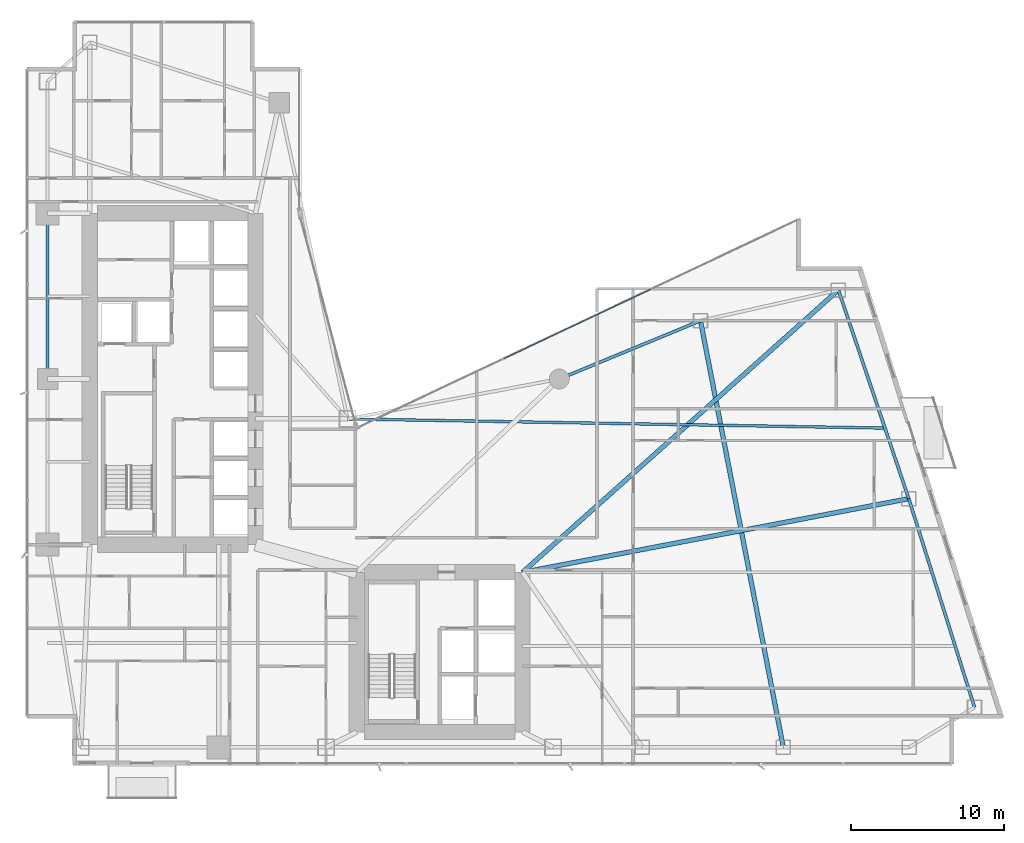
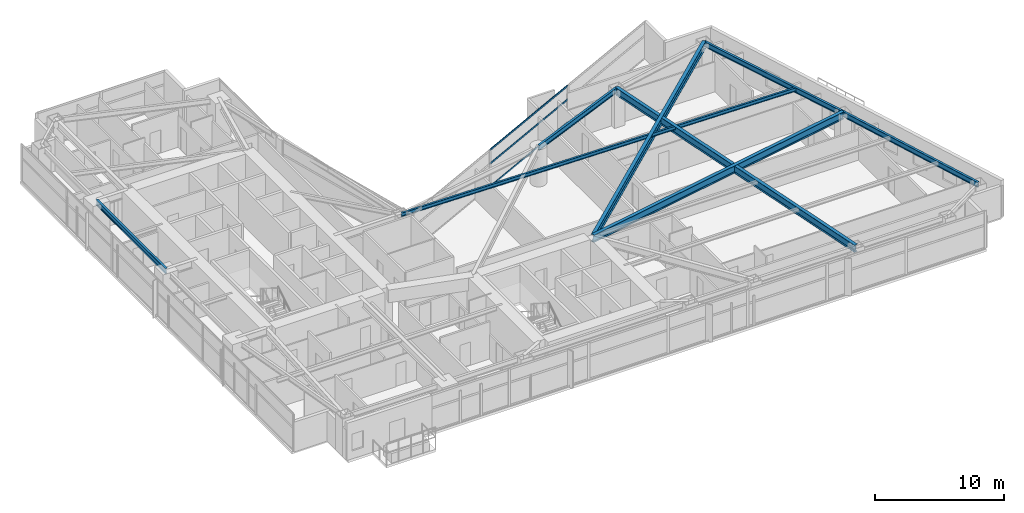
# One storey, part 14 of 28: 8 beams, 3 members, 1 element without a shape of its own.
"""IFC4 building model written with IfcOpenShell, lengths in metres."""

from ifc_helpers import new_model, si_unit, direction, frame, origin, origin_2d, place, context, subcontext, project, spatial, hollow_rectangle, i_section, extrude, material, layer, layer_set, material_profile, profile_set, type_object, element, aggregate, save


model = new_model("IFC4")

# Units and contexts
model_context = context("Model", 3, precision=1e-05, world=origin(), true_north=direction((0.0, 1.0)))
body_context = subcontext(model_context, "Body", "Model", "MODEL_VIEW")
ifc_project = project(units=[si_unit("LENGTHUNIT", "METRE"), si_unit("AREAUNIT", "SQUARE_METRE"), si_unit("VOLUMEUNIT", "CUBIC_METRE"), si_unit("PLANEANGLEUNIT", "RADIAN"), si_unit("MASSUNIT", "GRAM", prefix="KILO")], contexts=[model_context])

# Site, building, storey
site_placement = place(None, origin())
site = spatial("IfcSite", under=ifc_project, at=site_placement, CompositionType="ELEMENT")
building_placement = place(site_placement, origin())
building = spatial("IfcBuilding", under=site, at=building_placement, Name="Calvorn Quay Hotel", CompositionType="ELEMENT")
storey_placement = place(building_placement, frame((0.0, 0.0, 42.199951171875)))
storey = spatial("IfcBuildingStorey", under=building, at=storey_placement, Name="L09", CompositionType="ELEMENT", Elevation=42.199951171875)

# Beams
ifc_material_1 = material(Name="Steel Q390GJC", Category="steel")
ifc_material_profile_1 = material_profile(ifc_material_1, i_section(OverallWidth=0.300048828125, OverallDepth=0.699951171875, WebThickness=0.012939453125, FlangeThickness=0.02392578125, FilletRadius=0.02392578125, at=origin_2d()), Name="HN700x300x13x24")
ifc_profile_set_1 = profile_set([ifc_material_profile_1], Name="Steel Q390GJC")
beam_type_1 = type_object("IfcBeamType", Name="BM-GIRD-MAIN", PredefinedType="BEAM", material=ifc_profile_set_1)
beam_1_placement = place(storey_placement, frame((32.39990234375, 15.0, 3.170166015625), z_axis=(0.982305450614, 0.18728588226, 0.0), x_axis=(-0.18728588226, 0.982305450614, 0.0)))
element("IfcBeam", 1, at=beam_1_placement, inside=storey, type_object=beam_type_1, Name="Beam BG-L09-E2", PredefinedType="BEAM", context=body_context, shape_type="SweptSolid", body=[
    extrude(i_section(OverallWidth=0.300048828125, OverallDepth=0.699951171875, WebThickness=0.012939453125, FlangeThickness=0.02392578125, FilletRadius=0.02392578125, at=origin_2d()), origin(), (0.0, 0.0, 1.0), 25.629638671875),
])
beam_2_placement = place(storey_placement, frame((32.39990234375, 15.0, 3.170166015625), z_axis=(0.745667316004, 0.666318432766, 0.0), x_axis=(-0.666318432766, 0.745667316004, 0.0)))
element("IfcBeam", 2, at=beam_2_placement, inside=storey, type_object=beam_type_1, Name="Beam BG-L09-E3", PredefinedType="BEAM", context=body_context, shape_type="SweptSolid", body=[
    extrude(i_section(OverallWidth=0.300048828125, OverallDepth=0.699951171875, WebThickness=0.012939453125, FlangeThickness=0.02392578125, FilletRadius=0.02392578125, at=origin_2d()), origin(), (0.0, 0.0, 1.0), 27.6142578125),
])
beam_3_placement = place(storey_placement, frame((49.39990234375, 3.60009765625, 3.170166015625), z_axis=(-0.190678596862, 0.981652521363, 0.0), x_axis=(-0.981652521363, -0.190678596862, 0.0)))
element("IfcBeam", 3, at=beam_3_placement, inside=storey, type_object=beam_type_1, Name="Beam BG-L09-E5", PredefinedType="BEAM", context=body_context, shape_type="SweptSolid", body=[
    extrude(i_section(OverallWidth=0.300048828125, OverallDepth=0.699951171875, WebThickness=0.012939453125, FlangeThickness=0.02392578125, FilletRadius=0.02392578125, at=origin_2d()), origin(), (0.0, 0.0, 1.0), 28.3193359375),
])
ifc_material_2 = material(Name="Steel Q355B", Category="steel")
ifc_material_profile_2 = material_profile(ifc_material_2, i_section(OverallWidth=0.175048828125, OverallDepth=0.35009765625, WebThickness=0.007080078125, FlangeThickness=0.010986328125, FilletRadius=0.013916015625, at=origin_2d()), Name="HN350x175x7x11")
ifc_profile_set_2 = profile_set([ifc_material_profile_2], Name="Steel Q355B")
beam_type_2 = type_object("IfcBeamType", Name="BM-JOIST-SEC", PredefinedType="JOIST", material=ifc_profile_set_2)
beam_4_placement = place(storey_placement, frame((21.0, 25.0, 3.344970703125), z_axis=(0.999854105858, -0.017081188436, 0.0), x_axis=(0.017081188436, 0.999854105858, 0.0)))
element("IfcBeam", 4, at=beam_4_placement, inside=storey, type_object=beam_type_2, Name="Beam BJ-L09-E3", PredefinedType="JOIST", context=body_context, shape_type="SweptSolid", body=[
    extrude(i_section(OverallWidth=0.175048828125, OverallDepth=0.35009765625, WebThickness=0.007080078125, FlangeThickness=0.010986328125, FilletRadius=0.013916015625, at=origin_2d()), origin(), (0.0, 0.0, 1.0), 35.132080078125),
])
ifc_material_3 = material(Name="Steel Q355B", Category="steel")
ifc_material_profile_3 = material_profile(ifc_material_3, i_section(OverallWidth=0.199951171875, OverallDepth=0.5, WebThickness=0.010009765625, FlangeThickness=0.01611328125, FilletRadius=0.01611328125, at=origin_2d()), Name="HN500x200x10x16")
ifc_profile_set_3 = profile_set([ifc_material_profile_3], Name="Steel Q355B")
beam_type_3 = type_object("IfcBeamType", Name="BM-SPANDREL-Z1", PredefinedType="SPANDREL", material=ifc_profile_set_3)
beam_5_placement = place(storey_placement, frame((1.449951171875, 27.60009765625, 3.27001953125), z_axis=(0.0, 1.0, 0.0), x_axis=(-1.0, 0.0, 0.0)))
element("IfcBeam", 5, at=beam_5_placement, inside=storey, type_object=beam_type_3, Name="Beam BSP-L09-W3", PredefinedType="SPANDREL", context=body_context, shape_type="SweptSolid", body=[
    extrude(i_section(OverallWidth=0.199951171875, OverallDepth=0.5, WebThickness=0.010009765625, FlangeThickness=0.01611328125, FilletRadius=0.01611328125, at=origin_2d()), origin(), (0.0, 0.0, 1.0), 10.7998046875),
])
beam_6_placement = place(storey_placement, frame((61.861083984375, 6.199951171875, 3.27001953125), z_axis=(-0.300518378216, 0.953776024208, 0.0), x_axis=(-0.953776024208, -0.300518378216, 0.0)))
element("IfcBeam", 6, at=beam_6_placement, inside=storey, type_object=beam_type_3, Name="Beam BSP-L09-E1", PredefinedType="SPANDREL", context=body_context, shape_type="SweptSolid", body=[
    extrude(i_section(OverallWidth=0.199951171875, OverallDepth=0.5, WebThickness=0.010009765625, FlangeThickness=0.01611328125, FilletRadius=0.01611328125, at=origin_2d()), origin(), (0.0, 0.0, 1.0), 14.25927734375),
])
beam_7_placement = place(storey_placement, frame((57.575927734375, 19.800048828125, 3.27001953125), z_axis=(-0.319466515944, 0.947597564998, 0.0), x_axis=(-0.947597564998, -0.319466515944, 0.0)))
element("IfcBeam", 7, at=beam_7_placement, inside=storey, type_object=beam_type_3, Name="Beam BSP-L09-E2", PredefinedType="SPANDREL", context=body_context, shape_type="SweptSolid", body=[
    extrude(i_section(OverallWidth=0.199951171875, OverallDepth=0.5, WebThickness=0.010009765625, FlangeThickness=0.01611328125, FilletRadius=0.01611328125, at=origin_2d()), origin(), (0.0, 0.0, 1.0), 14.35205078125),
])
beam_8_placement = place(storey_placement, frame((44.0, 31.39990234375, 3.27001953125), z_axis=(-0.92426763497, -0.381745123017, 0.0), x_axis=(0.381745123017, -0.92426763497, 0.0)))
element("IfcBeam", 8, at=beam_8_placement, inside=storey, type_object=beam_type_3, Name="Beam BSP-L09-E4", PredefinedType="SPANDREL", context=body_context, shape_type="SweptSolid", body=[
    extrude(i_section(OverallWidth=0.199951171875, OverallDepth=0.5, WebThickness=0.010009765625, FlangeThickness=0.01611328125, FilletRadius=0.01611328125, at=origin_2d()), origin(), (0.0, 0.0, 1.0), 9.953857421875),
])

# Curtain wall, members
ifc_material_4 = material(Name="Pale Anodised Aluminium and Low-E Glass", Category="aluminium")
ifc_layer = layer(ifc_material_4, 0.219970703125)
ifc_layer_set = layer_set([ifc_layer], Name="CW-SYS-Z1")
curtain_wall_type = type_object("IfcCurtainWallType", Name="CW-SYS-Z1", PredefinedType="NOTDEFINED", material=ifc_layer_set)
curtain_wall_placement = place(storey_placement, origin())
curtain_wall = element("IfcCurtainWall", 9, at=curtain_wall_placement, inside=storey, type_object=curtain_wall_type, Name="Inner Court Curtain Wall L09-NE1", PredefinedType="NOTDEFINED")
ifc_material_5 = material(Name="Pale Anodised Aluminium 6063-T6", Category="aluminium")
ifc_material_profile_4 = material_profile(ifc_material_5, hollow_rectangle(XDim=0.06494140625, YDim=0.1650390625, WallThickness=0.00341796875, at=origin_2d()), Name="ALU-T165x65x3.5")
ifc_profile_set_4 = profile_set([ifc_material_profile_4], Name="Pale Anodised Aluminium 6063-T6")
member_type = type_object("IfcMemberType", Name="CW-SYS-Z1-TRN", PredefinedType="USERDEFINED", material=ifc_profile_set_4)
member_1_placement = place(storey_placement, frame((40.77294921875, 33.453857421875, 0.030029296875), z_axis=(-0.904247654564, -0.427008406493, 0.0), x_axis=(0.427008406493, -0.904247654564, 0.0)))
member_1 = element("IfcMember", 10, at=member_1_placement, type_object=member_type, Name="CW-L09-NE1 transom 2.1", ObjectType="TRANSOM", PredefinedType="USERDEFINED", context=body_context, shape_type="SweptSolid", body=[
    extrude(hollow_rectangle(XDim=0.06494140625, YDim=0.1650390625, WallThickness=0.00341796875, at=origin_2d()), origin(), (0.0, 0.0, 1.0), 10.556640625),
])
member_2_placement = place(storey_placement, frame((40.77294921875, 33.453857421875, 2.199951171875), z_axis=(-0.904247654564, -0.427008406493, 0.0), x_axis=(0.427008406493, -0.904247654564, 0.0)))
member_2 = element("IfcMember", 11, at=member_2_placement, type_object=member_type, Name="CW-L09-NE1 transom 2.2", ObjectType="TRANSOM", PredefinedType="USERDEFINED", context=body_context, shape_type="SweptSolid", body=[
    extrude(hollow_rectangle(XDim=0.06494140625, YDim=0.1650390625, WallThickness=0.00341796875, at=origin_2d()), origin(), (0.0, 0.0, 1.0), 10.556640625),
])
member_3_placement = place(storey_placement, frame((40.77294921875, 33.453857421875, 3.489990234375), z_axis=(-0.904247654564, -0.427008406493, 0.0), x_axis=(0.427008406493, -0.904247654564, 0.0)))
member_3 = element("IfcMember", 12, at=member_3_placement, type_object=member_type, Name="CW-L09-NE1 transom 2.3", ObjectType="TRANSOM", PredefinedType="USERDEFINED", context=body_context, shape_type="SweptSolid", body=[
    extrude(hollow_rectangle(XDim=0.06494140625, YDim=0.1650390625, WallThickness=0.00341796875, at=origin_2d()), origin(), (0.0, 0.0, 1.0), 10.556640625),
])
aggregate(curtain_wall, [member_1, member_2, member_3])

save(model, "model.ifc")
